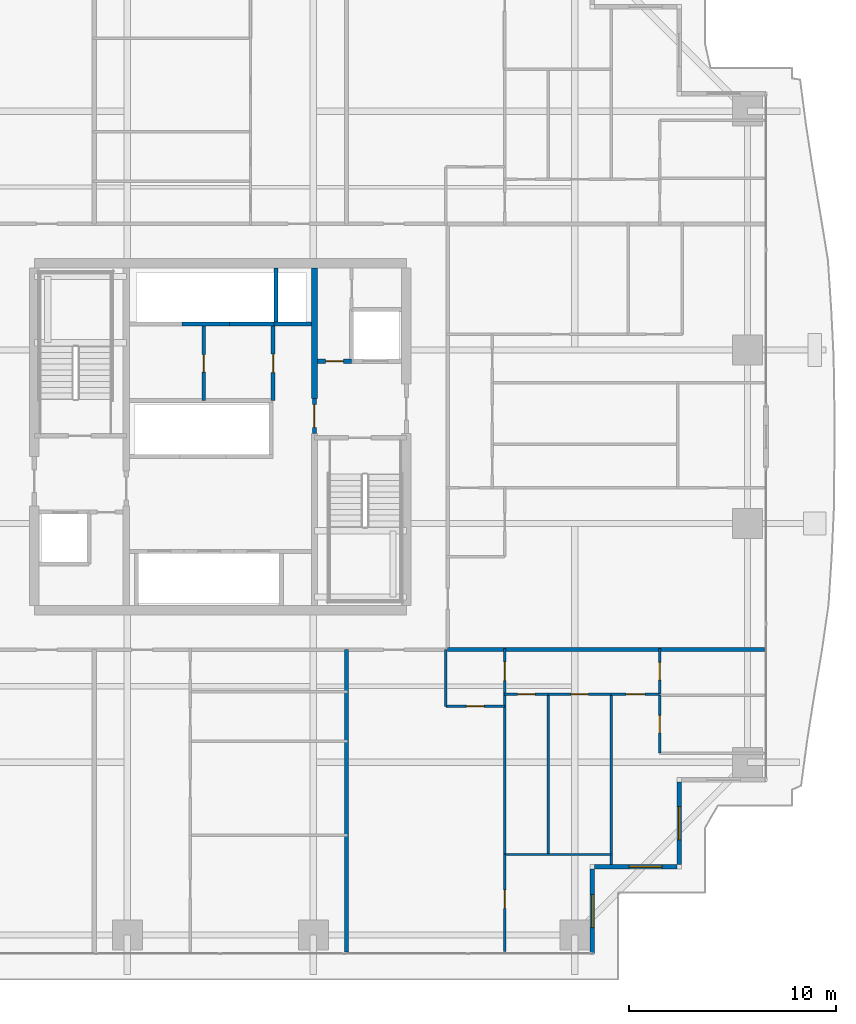
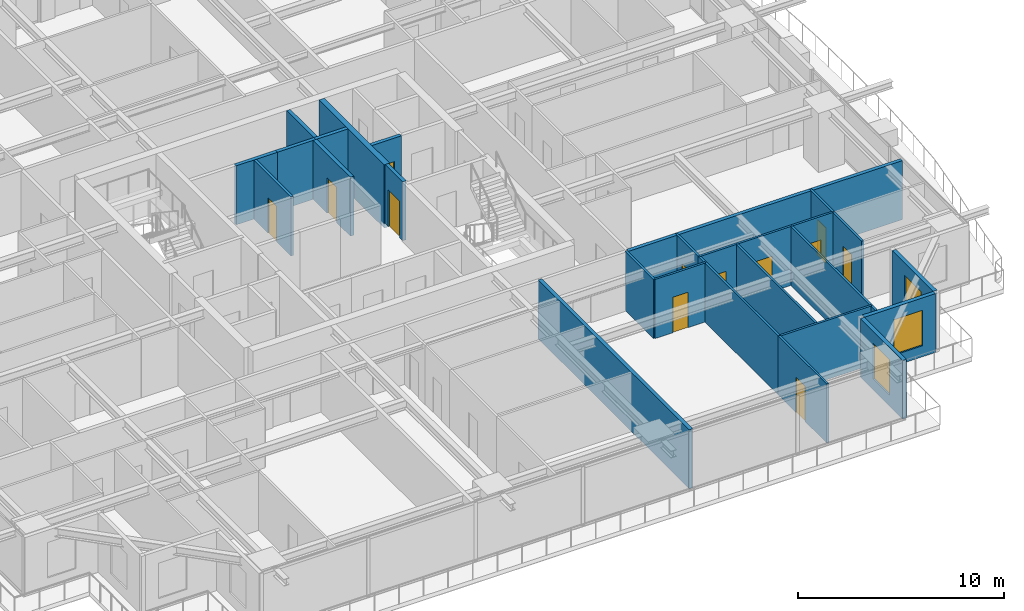
# One storey, part 28 of 37: 27 walls, 12 doors, 3 windows, 15 openings.
"""IFC4 building model written with IfcOpenShell, lengths in metres."""

from ifc_helpers import new_model, si_unit, direction, frame, frame_2d, origin, place, context, subcontext, project, spatial, rectangle, extrude, source, transform, mapped, material, layer, layer_set, type_object, element, fill, save


model = new_model("IFC4")

# Units and contexts
model_context = context("Model", 3, precision=1e-05, world=origin(), true_north=direction((0.0, 1.0)))
body_context = subcontext(model_context, "Body", "Model", "MODEL_VIEW")
ifc_project = project(units=[si_unit("LENGTHUNIT", "METRE"), si_unit("AREAUNIT", "SQUARE_METRE"), si_unit("VOLUMEUNIT", "CUBIC_METRE"), si_unit("PLANEANGLEUNIT", "RADIAN"), si_unit("MASSUNIT", "GRAM", prefix="KILO")], contexts=[model_context])

# Site, building, storey
site_placement = place(None, origin())
site = spatial("IfcSite", under=ifc_project, at=site_placement, CompositionType="ELEMENT")
building_placement = place(site_placement, origin())
building = spatial("IfcBuilding", under=site, at=building_placement, Name="Serunith Strait Residences", CompositionType="ELEMENT")
storey_placement = place(building_placement, frame((0.0, 0.0, 34.199951171875)))
storey = spatial("IfcBuildingStorey", under=building, at=storey_placement, Name="L07", CompositionType="ELEMENT", Elevation=34.199951171875)

# Wall, opening, window
ifc_material_1 = material(Name="Pale-Champagne Aluminium Insulated Panel", Category="aluminium")
ifc_layer_1 = layer(ifc_material_1, 0.219970703125, Name="Pale-Champagne Aluminium Insulated Panel")
ifc_layer_set_1 = layer_set([ifc_layer_1], Name="Pale-Champagne Aluminium Insulated Panel")
wall_type_1 = type_object("IfcWallType", Name="EW-ALUM-220", PredefinedType="ELEMENTEDWALL", material=ifc_layer_set_1)
wall_1_placement = place(storey_placement, frame((50.39990234375, 0.199951171875, 0.0), z_axis=(0.0, 0.0, 1.0), x_axis=(0.0, 1.0, 0.0)))
wall_1 = element("IfcWall", 1, at=wall_1_placement, inside=storey, type_object=wall_type_1, Name="L07 Girih Serrated Corner Wall 02", PredefinedType="ELEMENTEDWALL", context=body_context, shape_type="SweptSolid", body=[
    extrude(rectangle(XDim=4.090087890625, YDim=0.219970703125, at=frame_2d((2.044921875, 0.0))), origin(), (0.0, 0.0, 1.0), 3.47509765625),
])
opening_1_placement = place(wall_1_placement, frame((1.2451171875, 0.0, 0.64990234375)))
opening_1 = element("IfcOpeningElement", 2, at=opening_1_placement, cuts=wall_1, Name="Opening W-02", PredefinedType="OPENING", context=body_context, shape_type="SweptSolid", body=[
    extrude(rectangle(XDim=1.60009765625, YDim=2.10009765625, at=frame_2d((0.800048828125, 1.050048828125))), frame((0.0, 0.1201171875, 0.0), z_axis=(0.0, -1.0, 0.0), x_axis=(1.0, 0.0, 0.0)), (0.0, 0.0, 1.0), 0.239990234375),
])
ifc_material_2 = material(Name="Ceramic-Fritted Operable Aluminium Window Glass", Category="aluminium")
window_type = type_object("IfcWindowType", Name="WIN-C2", PartitioningType="DOUBLE_PANEL_VERTICAL", PredefinedType="WINDOW", material=ifc_material_2)
shared_shape_1 = source(origin(), body_context, "Body", "SweptSolid", [
    extrude(rectangle(XDim=1.60009765625, YDim=2.10009765625, at=frame_2d((0.800048828125, 1.050048828125))), frame((0.0, 0.030029296875, 0.0), z_axis=(0.0, -1.0, 0.0), x_axis=(1.0, 0.0, 0.0)), (0.0, 0.0, 1.0), 0.06005859375),
])
window_1_placement = place(opening_1_placement, origin())
window_1 = element("IfcWindow", 3, at=window_1_placement, inside=storey, type_object=window_type, Name="L07 Corner Operable Fritted Window 02", OverallHeight=2.10009765625, OverallWidth=1.60009765625, PartitioningType="SINGLE_PANEL", PredefinedType="WINDOW", context=body_context, shape_type="MappedRepresentation", body=[
    mapped(shared_shape_1, transform((0.0, 0.0, 0.0), scale=1.0)),
])
fill(opening_1, window_1)

wall_2_placement = place(storey_placement, frame((50.510009765625, 4.39990234375, 0.0), z_axis=(0.0, 0.0, 1.0), x_axis=(1.0, 0.0, 0.0)))
wall_2 = element("IfcWall", 4, at=wall_2_placement, inside=storey, type_object=wall_type_1, Name="L07 Girih Serrated Corner Wall 03", PredefinedType="ELEMENTEDWALL", context=body_context, shape_type="SweptSolid", body=[
    extrude(rectangle(XDim=3.97998046875, YDim=0.219970703125, at=frame_2d((1.989990234375, 0.0))), origin(), (0.0, 0.0, 1.0), 3.47509765625),
])
opening_2_placement = place(wall_2_placement, frame((1.666015625, 0.0, 0.64990234375)))
opening_2 = element("IfcOpeningElement", 5, at=opening_2_placement, cuts=wall_2, Name="Opening W-02", PredefinedType="OPENING", context=body_context, shape_type="SweptSolid", body=[
    extrude(rectangle(XDim=1.60009765625, YDim=2.10009765625, at=frame_2d((0.800048828125, 1.050048828125))), frame((0.0, 0.1201171875, 0.0), z_axis=(0.0, -1.0, 0.0), x_axis=(1.0, 0.0, 0.0)), (0.0, 0.0, 1.0), 0.239990234375),
])
window_2_placement = place(opening_2_placement, origin())
window_2 = element("IfcWindow", 6, at=window_2_placement, inside=storey, type_object=window_type, Name="L07 Corner Operable Fritted Window 03", OverallHeight=2.10009765625, OverallWidth=1.60009765625, PartitioningType="SINGLE_PANEL", PredefinedType="WINDOW", context=body_context, shape_type="MappedRepresentation", body=[
    mapped(shared_shape_1, transform((0.0, 0.0, 0.0), scale=1.0)),
])
fill(opening_2, window_2)

wall_3_placement = place(storey_placement, frame((54.60009765625, 4.510009765625, 0.0), z_axis=(0.0, 0.0, 1.0), x_axis=(0.0, 1.0, 0.0)))
wall_3 = element("IfcWall", 7, at=wall_3_placement, inside=storey, type_object=wall_type_1, Name="L07 Girih Serrated Corner Wall 04", PredefinedType="ELEMENTEDWALL", context=body_context, shape_type="SweptSolid", body=[
    extrude(rectangle(XDim=3.97998046875, YDim=0.219970703125, at=frame_2d((1.989990234375, 0.0))), origin(), (0.0, 0.0, 1.0), 3.47509765625),
])
opening_3_placement = place(wall_3_placement, frame((1.18994140625, 0.0, 0.64990234375)))
opening_3 = element("IfcOpeningElement", 8, at=opening_3_placement, cuts=wall_3, Name="Opening W-02", PredefinedType="OPENING", context=body_context, shape_type="SweptSolid", body=[
    extrude(rectangle(XDim=1.60009765625, YDim=2.10009765625, at=frame_2d((0.800048828125, 1.050048828125))), frame((0.0, 0.1201171875, 0.0), z_axis=(0.0, -1.0, 0.0), x_axis=(1.0, 0.0, 0.0)), (0.0, 0.0, 1.0), 0.239990234375),
])
window_3_placement = place(opening_3_placement, origin())
window_3 = element("IfcWindow", 9, at=window_3_placement, inside=storey, type_object=window_type, Name="L07 Corner Operable Fritted Window 04", OverallHeight=2.10009765625, OverallWidth=1.60009765625, PartitioningType="SINGLE_PANEL", PredefinedType="WINDOW", context=body_context, shape_type="MappedRepresentation", body=[
    mapped(shared_shape_1, transform((0.0, 0.0, 0.0), scale=1.0)),
])
fill(opening_3, window_3)

# Wall, opening, door
ifc_material_3 = material(Name="Fire-rated masonry service closet wall", Category="masonry")
ifc_layer_2 = layer(ifc_material_3, 0.14990234375, Name="Fire-rated masonry service closet wall")
ifc_layer_set_2 = layer_set([ifc_layer_2], Name="Fire-rated masonry service closet wall")
wall_type_2 = type_object("IfcWallType", Name="IW-BOH-150", PredefinedType="PARTITIONING", material=ifc_layer_set_2)
wall_4_placement = place(storey_placement, frame((31.60009765625, 26.949951171875, 0.0), z_axis=(0.0, 0.0, 1.0), x_axis=(0.0, 1.0, 0.0)))
wall_4 = element("IfcWall", 10, at=wall_4_placement, inside=storey, type_object=wall_type_2, Name="L07 Partition Wall 014", PredefinedType="PARTITIONING", context=body_context, shape_type="SweptSolid", body=[
    extrude(rectangle(XDim=3.60009765625, YDim=0.14990234375, at=frame_2d((1.800048828125, 0.0))), origin(), (0.0, 0.0, 1.0), 3.489990234375),
])
opening_4_placement = place(wall_4_placement, frame((1.375, 0.0, 0.0)))
opening_4 = element("IfcOpeningElement", 11, at=opening_4_placement, cuts=wall_4, Name="Opening FD-850", PredefinedType="OPENING", context=body_context, shape_type="SweptSolid", body=[
    extrude(rectangle(XDim=0.85009765625, YDim=2.10009765625, at=frame_2d((0.425048828125, 1.050048828125))), frame((0.0, 0.0849609375, 0.0), z_axis=(0.0, -1.0, 0.0), x_axis=(1.0, 0.0, 0.0)), (0.0, 0.0, 1.0), 0.169921875),
])
ifc_material_4 = material(Name="Powder-coated steel service closet door", Category="steel")
door_type_1 = type_object("IfcDoorType", Name="FD-BOH-850", OperationType="NOTDEFINED", PredefinedType="DOOR", material=ifc_material_4)
shared_shape_2 = source(origin(), body_context, "Body", "SweptSolid", [
    extrude(rectangle(XDim=0.85009765625, YDim=2.10009765625, at=frame_2d((0.425048828125, 1.050048828125))), frame((0.0, 0.02490234375, 0.0), z_axis=(0.0, -1.0, 0.0), x_axis=(1.0, 0.0, 0.0)), (0.0, 0.0, 1.0), 0.050048828125),
])
door_1_placement = place(opening_4_placement, origin())
door_1 = element("IfcDoor", 12, at=door_1_placement, inside=storey, type_object=door_type_1, Name="L07 Zone Telecoms Door", OperationType="SINGLE_SWING_LEFT", OverallHeight=2.10009765625, OverallWidth=0.85009765625, PredefinedType="DOOR", context=body_context, shape_type="MappedRepresentation", body=[
    mapped(shared_shape_2, transform((0.0, 0.0, 0.0), scale=1.0)),
])
fill(opening_4, door_1)

ifc_material_5 = material(Name="Lightweight steel-stud gypsum partition", Category="steel")
ifc_layer_3 = layer(ifc_material_5, 0.1201171875, Name="Lightweight steel-stud gypsum partition")
ifc_layer_set_3 = layer_set([ifc_layer_3], Name="Lightweight steel-stud gypsum partition")
wall_type_3 = type_object("IfcWallType", Name="IW-PART-120", PredefinedType="PARTITIONING", material=ifc_layer_set_3)
wall_5_placement = place(storey_placement, frame((43.31005859375, 12.14990234375, 0.0), z_axis=(0.0, 0.0, 1.0), x_axis=(1.0, 0.0, 0.0)))
wall_5 = element("IfcWall", 13, at=wall_5_placement, inside=storey, type_object=wall_type_3, Name="L07 Partition Wall 049", PredefinedType="PARTITIONING", context=body_context, shape_type="SweptSolid", body=[
    extrude(rectangle(XDim=2.849853515625, YDim=0.1201171875, at=frame_2d((1.4248046875, 0.0))), origin(), (0.0, 0.0, 1.0), 3.489990234375),
])
opening_5_placement = place(wall_5_placement, frame((1.0, 0.0, 0.0)))
opening_5 = element("IfcOpeningElement", 14, at=opening_5_placement, cuts=wall_5, Name="Opening D-RM850", PredefinedType="OPENING", context=body_context, shape_type="SweptSolid", body=[
    extrude(rectangle(XDim=0.85009765625, YDim=2.10009765625, at=frame_2d((0.425048828125, 1.050048828125))), frame((0.0, 0.070068359375, 0.0), z_axis=(0.0, -1.0, 0.0), x_axis=(1.0, 0.0, 0.0)), (0.0, 0.0, 1.0), 0.14013671875),
])
ifc_material_6 = material(Name="Engineered timber flush study and kitchen door", Category="wood")
door_type_2 = type_object("IfcDoorType", Name="ID-ROOM-850", OperationType="NOTDEFINED", PredefinedType="DOOR", material=ifc_material_6)
door_2_placement = place(opening_5_placement, origin())
door_2 = element("IfcDoor", 15, at=door_2_placement, inside=storey, type_object=door_type_2, Name="L07 Kitchen 0703 Door", OperationType="SINGLE_SWING_RIGHT", OverallHeight=2.10009765625, OverallWidth=0.85009765625, PredefinedType="DOOR", context=body_context, shape_type="MappedRepresentation", body=[
    mapped(shared_shape_2, transform((0.0, 0.0, 0.0), scale=1.0)),
])
fill(opening_5, door_2)

# Wall
wall_6_placement = place(storey_placement, frame((43.31005859375, 12.14990234375, 0.0), z_axis=(0.0, 0.0, 1.0), x_axis=(0.0, 1.0, 0.0)))
element("IfcWall", 16, at=wall_6_placement, inside=storey, type_object=wall_type_3, Name="L07 Partition Wall 050", PredefinedType="PARTITIONING", context=body_context, shape_type="SweptSolid", body=[
    extrude(rectangle(XDim=2.748046875, YDim=0.1201171875, at=frame_2d((1.3740234375, 0.0))), origin(), (0.0, 0.0, 1.0), 3.489990234375),
])

# Wall, opening, door
wall_7_placement = place(storey_placement, frame((46.159912109375, 12.75, 0.0), z_axis=(0.0, 0.0, 1.0), x_axis=(0.0, 1.0, 0.0)))
wall_7 = element("IfcWall", 17, at=wall_7_placement, inside=storey, type_object=wall_type_3, Name="L07 Partition Wall 051", PredefinedType="PARTITIONING", context=body_context, shape_type="SweptSolid", body=[
    extrude(rectangle(XDim=2.2099609375, YDim=0.1201171875, at=frame_2d((1.10498046875, 0.0))), origin(), (0.0, 0.0, 1.0), 3.489990234375),
])
opening_6_placement = place(wall_7_placement, frame((0.655029296875, 0.0, 0.0)))
opening_6 = element("IfcOpeningElement", 18, at=opening_6_placement, cuts=wall_7, Name="Opening D-RM900", PredefinedType="OPENING", context=body_context, shape_type="SweptSolid", body=[
    extrude(rectangle(XDim=0.89990234375, YDim=2.10009765625, at=frame_2d((0.449951171875, 1.050048828125))), frame((0.0, 0.070068359375, 0.0), z_axis=(0.0, -1.0, 0.0), x_axis=(1.0, 0.0, 0.0)), (0.0, 0.0, 1.0), 0.14013671875),
])
ifc_material_7 = material(Name="Engineered timber flush bedroom door", Category="wood")
door_type_3 = type_object("IfcDoorType", Name="ID-ROOM-900", OperationType="NOTDEFINED", PredefinedType="DOOR", material=ifc_material_7)
shared_shape_3 = source(origin(), body_context, "Body", "SweptSolid", [
    extrude(rectangle(XDim=0.89990234375, YDim=2.10009765625, at=frame_2d((0.449951171875, 1.050048828125))), frame((0.0, 0.02490234375, 0.0), z_axis=(0.0, -1.0, 0.0), x_axis=(1.0, 0.0, 0.0)), (0.0, 0.0, 1.0), 0.050048828125),
])
door_3_placement = place(opening_6_placement, origin())
door_3 = element("IfcDoor", 19, at=door_3_placement, inside=storey, type_object=door_type_3, Name="L07 Hall E 0703 Door", OperationType="SINGLE_SWING_LEFT", OverallHeight=2.10009765625, OverallWidth=0.89990234375, PredefinedType="DOOR", context=body_context, shape_type="MappedRepresentation", body=[
    mapped(shared_shape_3, transform((0.0, 0.0, 0.0), scale=1.0)),
])
fill(opening_6, door_3)

wall_8_placement = place(storey_placement, frame((46.159912109375, 0.294921875, 0.0), z_axis=(0.0, 0.0, 1.0), x_axis=(0.0, 1.0, 0.0)))
wall_8 = element("IfcWall", 20, at=wall_8_placement, inside=storey, type_object=wall_type_3, Name="L07 Partition Wall 052", PredefinedType="PARTITIONING", context=body_context, shape_type="SweptSolid", body=[
    extrude(rectangle(XDim=4.693115234375, YDim=0.1201171875, at=frame_2d((2.3466796875, 0.0))), origin(), (0.0, 0.0, 1.0), 3.489990234375),
])
opening_7_placement = place(wall_8_placement, frame((2.0859375, 0.0, 0.0)))
opening_7 = element("IfcOpeningElement", 21, at=opening_7_placement, cuts=wall_8, Name="Opening D-RM900", PredefinedType="OPENING", context=body_context, shape_type="SweptSolid", body=[
    extrude(rectangle(XDim=0.89990234375, YDim=2.10009765625, at=frame_2d((0.449951171875, 1.050048828125))), frame((0.0, 0.070068359375, 0.0), z_axis=(0.0, -1.0, 0.0), x_axis=(1.0, 0.0, 0.0)), (0.0, 0.0, 1.0), 0.14013671875),
])
door_4_placement = place(opening_7_placement, origin())
door_4 = element("IfcDoor", 22, at=door_4_placement, inside=storey, type_object=door_type_3, Name="L07 Study 1 0703 Door", OperationType="SINGLE_SWING_RIGHT", OverallHeight=2.10009765625, OverallWidth=0.89990234375, PredefinedType="DOOR", context=body_context, shape_type="MappedRepresentation", body=[
    mapped(shared_shape_3, transform((0.0, 0.0, 0.0), scale=1.0)),
])
fill(opening_7, door_4)

# Walls
wall_9_placement = place(storey_placement, frame((46.159912109375, 4.989990234375, 0.0), z_axis=(0.0, 0.0, 1.0), x_axis=(0.0, 1.0, 0.0)))
element("IfcWall", 23, at=wall_9_placement, inside=storey, type_object=wall_type_3, Name="L07 Partition Wall 053", PredefinedType="PARTITIONING", context=body_context, shape_type="SweptSolid", body=[
    extrude(rectangle(XDim=7.758056640625, YDim=0.1201171875, at=frame_2d((3.87890625, 0.0))), origin(), (0.0, 0.0, 1.0), 3.489990234375),
])
wall_10_placement = place(storey_placement, frame((46.159912109375, 4.988037109375, 0.0), z_axis=(0.0, 0.0, 1.0), x_axis=(1.0, 0.0, 0.0)))
element("IfcWall", 24, at=wall_10_placement, inside=storey, type_object=wall_type_3, Name="L07 Partition Wall 054", PredefinedType="PARTITIONING", context=body_context, shape_type="SweptSolid", body=[
    extrude(rectangle(XDim=5.150146484375, YDim=0.1201171875, at=frame_2d((2.5751953125, 0.0))), origin(), (0.0, 0.0, 1.0), 3.489990234375),
])
wall_11_placement = place(storey_placement, frame((51.31005859375, 4.4951171875, 0.0), z_axis=(0.0, 0.0, 1.0), x_axis=(0.0, 1.0, 0.0)))
element("IfcWall", 25, at=wall_11_placement, inside=storey, type_object=wall_type_3, Name="L07 Partition Wall 055", PredefinedType="PARTITIONING", context=body_context, shape_type="SweptSolid", body=[
    extrude(rectangle(XDim=8.2548828125, YDim=0.1201171875, at=frame_2d((4.12744140625, 0.0))), origin(), (0.0, 0.0, 1.0), 3.489990234375),
])
wall_12_placement = place(storey_placement, frame((48.260009765625, 4.988037109375, 0.0), z_axis=(0.0, 0.0, 1.0), x_axis=(0.0, 1.0, 0.0)))
element("IfcWall", 26, at=wall_12_placement, inside=storey, type_object=wall_type_3, Name="L07 Partition Wall 056", PredefinedType="PARTITIONING", context=body_context, shape_type="SweptSolid", body=[
    extrude(rectangle(XDim=7.761962890625, YDim=0.1201171875, at=frame_2d((3.880859375, 0.0))), origin(), (0.0, 0.0, 1.0), 3.489990234375),
])

# Wall, opening, door
wall_13_placement = place(storey_placement, frame((46.159912109375, 12.75, 0.0), z_axis=(0.0, 0.0, 1.0), x_axis=(1.0, 0.0, 0.0)))
wall_13 = element("IfcWall", 27, at=wall_13_placement, inside=storey, type_object=wall_type_3, Name="L07 Partition Wall 057", PredefinedType="PARTITIONING", context=body_context, shape_type="SweptSolid", body=[
    extrude(rectangle(XDim=2.10009765625, YDim=0.1201171875, at=frame_2d((1.050048828125, 0.0))), origin(), (0.0, 0.0, 1.0), 3.489990234375),
])
opening_8_placement = place(wall_13_placement, frame((0.625, 0.0, 0.0)))
opening_8 = element("IfcOpeningElement", 28, at=opening_8_placement, cuts=wall_13, Name="Opening D-BTH850", PredefinedType="OPENING", context=body_context, shape_type="SweptSolid", body=[
    extrude(rectangle(XDim=0.85009765625, YDim=2.10009765625, at=frame_2d((0.425048828125, 1.050048828125))), frame((0.0, 0.070068359375, 0.0), z_axis=(0.0, -1.0, 0.0), x_axis=(1.0, 0.0, 0.0)), (0.0, 0.0, 1.0), 0.14013671875),
])
ifc_material_8 = material(Name="Moisture-resistant timber bathroom door", Category="wood")
door_type_4 = type_object("IfcDoorType", Name="ID-BATH-850", OperationType="NOTDEFINED", PredefinedType="DOOR", material=ifc_material_8)
door_5_placement = place(opening_8_placement, origin())
door_5 = element("IfcDoor", 29, at=door_5_placement, inside=storey, type_object=door_type_4, Name="L07 Bathroom 0703 Door", OperationType="SINGLE_SWING_LEFT", OverallHeight=2.10009765625, OverallWidth=0.85009765625, PredefinedType="DOOR", context=body_context, shape_type="MappedRepresentation", body=[
    mapped(shared_shape_2, transform((0.0, 0.0, 0.0), scale=1.0)),
])
fill(opening_8, door_5)

wall_14_placement = place(storey_placement, frame((48.261962890625, 12.75, 0.0), z_axis=(0.0, 0.0, 1.0), x_axis=(1.0, 0.0, 0.0)))
wall_14 = element("IfcWall", 30, at=wall_14_placement, inside=storey, type_object=wall_type_3, Name="L07 Partition Wall 058", PredefinedType="PARTITIONING", context=body_context, shape_type="SweptSolid", body=[
    extrude(rectangle(XDim=3.048095703125, YDim=0.1201171875, at=frame_2d((1.52392578125, 0.0))), origin(), (0.0, 0.0, 1.0), 3.489990234375),
])
opening_9_placement = place(wall_14_placement, frame((1.09912109375, 0.0, 0.0)))
opening_9 = element("IfcOpeningElement", 31, at=opening_9_placement, cuts=wall_14, Name="Opening D-RM850", PredefinedType="OPENING", context=body_context, shape_type="SweptSolid", body=[
    extrude(rectangle(XDim=0.85009765625, YDim=2.10009765625, at=frame_2d((0.425048828125, 1.050048828125))), frame((0.0, 0.070068359375, 0.0), z_axis=(0.0, -1.0, 0.0), x_axis=(1.0, 0.0, 0.0)), (0.0, 0.0, 1.0), 0.14013671875),
])
door_6_placement = place(opening_9_placement, origin())
door_6 = element("IfcDoor", 32, at=door_6_placement, inside=storey, type_object=door_type_2, Name="L07 Study 0703 Door", OperationType="SINGLE_SWING_RIGHT", OverallHeight=2.10009765625, OverallWidth=0.85009765625, PredefinedType="DOOR", context=body_context, shape_type="MappedRepresentation", body=[
    mapped(shared_shape_2, transform((0.0, 0.0, 0.0), scale=1.0)),
])
fill(opening_9, door_6)

wall_15_placement = place(storey_placement, frame((51.31201171875, 12.75, 0.0), z_axis=(0.0, 0.0, 1.0), x_axis=(1.0, 0.0, 0.0)))
wall_15 = element("IfcWall", 33, at=wall_15_placement, inside=storey, type_object=wall_type_3, Name="L07 Partition Wall 059", PredefinedType="PARTITIONING", context=body_context, shape_type="SweptSolid", body=[
    extrude(rectangle(XDim=2.347900390625, YDim=0.1201171875, at=frame_2d((1.173828125, 0.0))), origin(), (0.0, 0.0, 1.0), 3.489990234375),
])
opening_10_placement = place(wall_15_placement, frame((0.72412109375, 0.0, 0.0)))
opening_10 = element("IfcOpeningElement", 34, at=opening_10_placement, cuts=wall_15, Name="Opening D-RM900", PredefinedType="OPENING", context=body_context, shape_type="SweptSolid", body=[
    extrude(rectangle(XDim=0.89990234375, YDim=2.10009765625, at=frame_2d((0.449951171875, 1.050048828125))), frame((0.0, 0.070068359375, 0.0), z_axis=(0.0, -1.0, 0.0), x_axis=(1.0, 0.0, 0.0)), (0.0, 0.0, 1.0), 0.14013671875),
])
door_7_placement = place(opening_10_placement, origin())
door_7 = element("IfcDoor", 35, at=door_7_placement, inside=storey, type_object=door_type_3, Name="L07 Master Bedroom E 0703 Door", OperationType="SINGLE_SWING_LEFT", OverallHeight=2.10009765625, OverallWidth=0.89990234375, PredefinedType="DOOR", context=body_context, shape_type="MappedRepresentation", body=[
    mapped(shared_shape_3, transform((0.0, 0.0, 0.0), scale=1.0)),
])
fill(opening_10, door_7)

wall_16_placement = place(storey_placement, frame((53.659912109375, 9.89404296875, 0.0), z_axis=(0.0, 0.0, 1.0), x_axis=(0.0, 1.0, 0.0)))
wall_16 = element("IfcWall", 36, at=wall_16_placement, inside=storey, type_object=wall_type_3, Name="L07 Partition Wall 062", PredefinedType="PARTITIONING", context=body_context, shape_type="SweptSolid", body=[
    extrude(rectangle(XDim=2.807861328125, YDim=0.1201171875, at=frame_2d((1.40380859375, 0.0))), origin(), (0.0, 0.0, 1.0), 3.489990234375),
])
opening_11_placement = place(wall_16_placement, frame((0.97900390625, 0.0, 0.0)))
opening_11 = element("IfcOpeningElement", 37, at=opening_11_placement, cuts=wall_16, Name="Opening D-BTH850", PredefinedType="OPENING", context=body_context, shape_type="SweptSolid", body=[
    extrude(rectangle(XDim=0.85009765625, YDim=2.10009765625, at=frame_2d((0.425048828125, 1.050048828125))), frame((0.0, 0.070068359375, 0.0), z_axis=(0.0, -1.0, 0.0), x_axis=(1.0, 0.0, 0.0)), (0.0, 0.0, 1.0), 0.14013671875),
])
door_8_placement = place(opening_11_placement, origin())
door_8 = element("IfcDoor", 38, at=door_8_placement, inside=storey, type_object=door_type_4, Name="L07 En-suite Bathroom E 0703 Door", OperationType="SINGLE_SWING_RIGHT", OverallHeight=2.10009765625, OverallWidth=0.85009765625, PredefinedType="DOOR", context=body_context, shape_type="MappedRepresentation", body=[
    mapped(shared_shape_2, transform((0.0, 0.0, 0.0), scale=1.0)),
])
fill(opening_11, door_8)

wall_17_placement = place(storey_placement, frame((53.659912109375, 12.75, 0.0), z_axis=(0.0, 0.0, 1.0), x_axis=(0.0, 1.0, 0.0)))
wall_17 = element("IfcWall", 39, at=wall_17_placement, inside=storey, type_object=wall_type_3, Name="L07 Partition Wall 063", PredefinedType="PARTITIONING", context=body_context, shape_type="SweptSolid", body=[
    extrude(rectangle(XDim=2.2099609375, YDim=0.1201171875, at=frame_2d((1.10498046875, 0.0))), origin(), (0.0, 0.0, 1.0), 3.489990234375),
])
opening_12_placement = place(wall_17_placement, frame((0.679931640625, 0.0, 0.0)))
opening_12 = element("IfcOpeningElement", 40, at=opening_12_placement, cuts=wall_17, Name="Opening D-RM850", PredefinedType="OPENING", context=body_context, shape_type="SweptSolid", body=[
    extrude(rectangle(XDim=0.85009765625, YDim=2.10009765625, at=frame_2d((0.425048828125, 1.050048828125))), frame((0.0, 0.070068359375, 0.0), z_axis=(0.0, -1.0, 0.0), x_axis=(1.0, 0.0, 0.0)), (0.0, 0.0, 1.0), 0.14013671875),
])
door_9_placement = place(opening_12_placement, origin())
door_9 = element("IfcDoor", 41, at=door_9_placement, inside=storey, type_object=door_type_2, Name="L07 Wardrobe E 0703 Door", OperationType="SINGLE_SWING_LEFT", OverallHeight=2.10009765625, OverallWidth=0.85009765625, PredefinedType="DOOR", context=body_context, shape_type="MappedRepresentation", body=[
    mapped(shared_shape_2, transform((0.0, 0.0, 0.0), scale=1.0)),
])
fill(opening_12, door_9)

# Walls
ifc_material_9 = material(Name="Twin-stud acoustic gypsum board partition")
ifc_layer_4 = layer(ifc_material_9, 0.199951171875, Name="Twin-stud acoustic gypsum board partition")
ifc_layer_set_4 = layer_set([ifc_layer_4], Name="Twin-stud acoustic gypsum board partition")
wall_type_4 = type_object("IfcWallType", Name="IW-PARTY-200", PredefinedType="PARTITIONING", material=ifc_layer_set_4)
wall_18_placement = place(storey_placement, frame((38.5, 0.281982421875, 0.0), z_axis=(0.0, 0.0, 1.0), x_axis=(0.0, 1.0, 0.0)))
element("IfcWall", 42, at=wall_18_placement, inside=storey, type_object=wall_type_4, Name="L07 Partition Wall 016", PredefinedType="PARTITIONING", context=body_context, shape_type="SweptSolid", body=[
    extrude(rectangle(XDim=14.617919921875, YDim=0.199951171875, at=frame_2d((7.30908203125, 0.0))), origin(), (0.0, 0.0, 1.0), 3.489990234375),
])
wall_19_placement = place(storey_placement, frame((43.39990234375, 14.89990234375, 0.0), z_axis=(0.0, 0.0, 1.0), x_axis=(1.0, 0.0, 0.0)))
element("IfcWall", 43, at=wall_19_placement, inside=storey, type_object=wall_type_4, Name="L07 Partition Wall 020", PredefinedType="PARTITIONING", context=body_context, shape_type="SweptSolid", body=[
    extrude(rectangle(XDim=15.318115234375, YDim=0.199951171875, at=frame_2d((7.6591796875, 0.0))), origin(), (0.0, 0.0, 1.0), 3.489990234375),
])
ifc_material_10 = material(Name="Autoclaved aerated concrete blockwork", Category="masonry")
ifc_layer_5 = layer(ifc_material_10, 0.199951171875, Name="Autoclaved aerated concrete blockwork")
ifc_layer_set_5 = layer_set([ifc_layer_5], Name="Autoclaved aerated concrete blockwork")
wall_type_5 = type_object("IfcWallType", Name="IW-SHAFT-200", PredefinedType="STANDARD", material=ifc_layer_set_5)
wall_20_placement = place(storey_placement, frame((30.550048828125, 30.64990234375, 0.0), z_axis=(0.0, 0.0, 1.0), x_axis=(1.0, 0.0, 0.0)))
element("IfcWall", 44, at=wall_20_placement, inside=storey, type_object=wall_type_5, Name="L07 PL-8 South Shaft Wall", PredefinedType="STANDARD", context=body_context, shape_type="SweptSolid", body=[
    extrude(rectangle(XDim=2.300048828125, YDim=0.199951171875, at=frame_2d((1.14990234375, 0.0))), origin(), (0.0, 0.0, 1.0), 3.489990234375),
])
wall_21_placement = place(storey_placement, frame((32.85009765625, 30.64990234375, 0.0), z_axis=(0.0, 0.0, 1.0), x_axis=(1.0, 0.0, 0.0)))
element("IfcWall", 45, at=wall_21_placement, inside=storey, type_object=wall_type_5, Name="L07 PL-9 South Shaft Wall", PredefinedType="STANDARD", context=body_context, shape_type="SweptSolid", body=[
    extrude(rectangle(XDim=2.14990234375, YDim=0.199951171875, at=frame_2d((1.074951171875, 0.0))), origin(), (0.0, 0.0, 1.0), 3.489990234375),
])
wall_22_placement = place(storey_placement, frame((35.0, 30.64990234375, 0.0), z_axis=(0.0, 0.0, 1.0), x_axis=(1.0, 0.0, 0.0)))
element("IfcWall", 46, at=wall_22_placement, inside=storey, type_object=wall_type_5, Name="L07 SL-1 South Shaft Wall", PredefinedType="STANDARD", context=body_context, shape_type="SweptSolid", body=[
    extrude(rectangle(XDim=1.800048828125, YDim=0.199951171875, at=frame_2d((0.89990234375, 0.0))), origin(), (0.0, 0.0, 1.0), 3.489990234375),
])
wall_23_placement = place(storey_placement, frame((35.10009765625, 30.75, 0.0), z_axis=(0.0, 0.0, 1.0), x_axis=(0.0, 1.0, 0.0)))
element("IfcWall", 47, at=wall_23_placement, inside=storey, type_object=wall_type_5, Name="L07 SL-1 West Shaft Wall", PredefinedType="STANDARD", context=body_context, shape_type="SweptSolid", body=[
    extrude(rectangle(XDim=2.625, YDim=0.199951171875, at=frame_2d((1.3125, 0.0))), origin(), (0.0, 0.0, 1.0), 3.489990234375),
])

# Wall, opening, door
wall_24_placement = place(storey_placement, frame((37.10009765625, 28.85009765625, 0.0), z_axis=(0.0, 0.0, 1.0), x_axis=(1.0, 0.0, 0.0)))
wall_24 = element("IfcWall", 48, at=wall_24_placement, inside=storey, type_object=wall_type_5, Name="L07 Partition Wall 006", PredefinedType="STANDARD", context=body_context, shape_type="SweptSolid", body=[
    extrude(rectangle(XDim=1.64794921875, YDim=0.199951171875, at=frame_2d((0.823974609375, 0.0))), origin(), (0.0, 0.0, 1.0), 3.489990234375),
])
opening_13_placement = place(wall_24_placement, frame((0.39892578125, 0.0, 0.0)))
opening_13 = element("IfcOpeningElement", 49, at=opening_13_placement, cuts=wall_24, Name="Opening FD-850", PredefinedType="OPENING", context=body_context, shape_type="SweptSolid", body=[
    extrude(rectangle(XDim=0.85009765625, YDim=2.10009765625, at=frame_2d((0.425048828125, 1.050048828125))), frame((0.0, 0.10986328125, 0.0), z_axis=(0.0, -1.0, 0.0), x_axis=(1.0, 0.0, 0.0)), (0.0, 0.0, 1.0), 0.219970703125),
])
door_10_placement = place(opening_13_placement, origin())
door_10 = element("IfcDoor", 50, at=door_10_placement, inside=storey, type_object=door_type_1, Name="L07 North-East Core Service Door", OperationType="SINGLE_SWING_RIGHT", OverallHeight=2.10009765625, OverallWidth=0.85009765625, PredefinedType="DOOR", context=body_context, shape_type="MappedRepresentation", body=[
    mapped(shared_shape_2, transform((0.0, 0.0, 0.0), scale=1.0)),
])
fill(opening_13, door_10)

wall_25_placement = place(storey_placement, frame((36.949951171875, 25.35205078125, 0.0), z_axis=(0.0, 0.0, 1.0), x_axis=(0.0, 1.0, 0.0)))
wall_25 = element("IfcWall", 51, at=wall_25_placement, inside=storey, type_object=wall_type_5, Name="L07 Partition Wall 010", PredefinedType="STANDARD", context=body_context, shape_type="SweptSolid", body=[
    extrude(rectangle(XDim=1.696044921875, YDim=0.199951171875, at=frame_2d((0.84814453125, 0.0))), origin(), (0.0, 0.0, 1.0), 3.489990234375),
])
opening_14_placement = place(wall_25_placement, frame((0.298095703125, 0.0, 0.0)))
opening_14 = element("IfcOpeningElement", 52, at=opening_14_placement, cuts=wall_25, Name="Opening FD-FFL", PredefinedType="OPENING", context=body_context, shape_type="SweptSolid", body=[
    extrude(rectangle(XDim=1.10009765625, YDim=2.14990234375, at=frame_2d((0.550048828125, 1.074951171875))), frame((0.0, 0.10986328125, 0.0), z_axis=(0.0, -1.0, 0.0), x_axis=(1.0, 0.0, 0.0)), (0.0, 0.0, 1.0), 0.219970703125),
])
ifc_material_11 = material(Name="Glazed steel smoke-lobby fire door", Category="steel")
door_type_5 = type_object("IfcDoorType", Name="FD-FFL-1100", OperationType="NOTDEFINED", PredefinedType="DOOR", material=ifc_material_11)
shared_shape_4 = source(origin(), body_context, "Body", "SweptSolid", [
    extrude(rectangle(XDim=1.10009765625, YDim=2.14990234375, at=frame_2d((0.550048828125, 1.074951171875))), frame((0.0, 0.02490234375, 0.0), z_axis=(0.0, -1.0, 0.0), x_axis=(1.0, 0.0, 0.0)), (0.0, 0.0, 1.0), 0.050048828125),
])
door_11_placement = place(opening_14_placement, origin())
door_11 = element("IfcDoor", 53, at=door_11_placement, inside=storey, type_object=door_type_5, Name="L07 FFL-2 Lift Lobby Door", OperationType="SINGLE_SWING_RIGHT", OverallHeight=2.14990234375, OverallWidth=1.10009765625, PredefinedType="DOOR", context=body_context, shape_type="MappedRepresentation", body=[
    mapped(shared_shape_4, transform((0.0, 0.0, 0.0), scale=1.0)),
])
fill(opening_14, door_11)

wall_26_placement = place(storey_placement, frame((34.949951171875, 26.949951171875, 0.0), z_axis=(0.0, 0.0, 1.0), x_axis=(0.0, 1.0, 0.0)))
wall_26 = element("IfcWall", 54, at=wall_26_placement, inside=storey, type_object=wall_type_5, Name="L07 Partition Wall 013", PredefinedType="STANDARD", context=body_context, shape_type="SweptSolid", body=[
    extrude(rectangle(XDim=3.60009765625, YDim=0.199951171875, at=frame_2d((1.800048828125, 0.0))), origin(), (0.0, 0.0, 1.0), 3.489990234375),
])
opening_15_placement = place(wall_26_placement, frame((1.35009765625, 0.0, 0.0)))
opening_15 = element("IfcOpeningElement", 55, at=opening_15_placement, cuts=wall_26, Name="Opening FD-900", PredefinedType="OPENING", context=body_context, shape_type="SweptSolid", body=[
    extrude(rectangle(XDim=0.89990234375, YDim=2.10009765625, at=frame_2d((0.449951171875, 1.050048828125))), frame((0.0, 0.10986328125, 0.0), z_axis=(0.0, -1.0, 0.0), x_axis=(1.0, 0.0, 0.0)), (0.0, 0.0, 1.0), 0.219970703125),
])
ifc_material_12 = material(Name="Powder-coated steel riser door", Category="steel")
door_type_6 = type_object("IfcDoorType", Name="FD-BOH-900", OperationType="NOTDEFINED", PredefinedType="DOOR", material=ifc_material_12)
door_12_placement = place(opening_15_placement, origin())
door_12 = element("IfcDoor", 56, at=door_12_placement, inside=storey, type_object=door_type_6, Name="L07 Central Comms Door", OperationType="SINGLE_SWING_RIGHT", OverallHeight=2.10009765625, OverallWidth=0.89990234375, PredefinedType="DOOR", context=body_context, shape_type="MappedRepresentation", body=[
    mapped(shared_shape_3, transform((0.0, 0.0, 0.0), scale=1.0)),
])
fill(opening_15, door_12)

# Wall
ifc_material_13 = material(Name="Concrete C80/95", Category="concrete")
ifc_layer_6 = layer(ifc_material_13, 0.300048828125, Name="Concrete C80/95")
ifc_layer_set_6 = layer_set([ifc_layer_6], Name="Concrete C80/95")
wall_type_6 = type_object("IfcWallType", Name="SW-300-C80", PredefinedType="SHEAR", material=ifc_layer_set_6)
wall_27_placement = place(storey_placement, frame((36.949951171875, 27.050048828125, -0.260009765625), z_axis=(0.0, 0.0, 1.0), x_axis=(0.0, 1.0, 0.0)))
element("IfcWall", 57, at=wall_27_placement, inside=storey, type_object=wall_type_6, Name="L07 Core Internal East Web North Pier", PredefinedType="SHEAR", context=body_context, shape_type="SweptSolid", body=[
    extrude(rectangle(XDim=6.324951171875, YDim=0.300048828125, at=frame_2d((3.16259765625, 0.0))), origin(), (0.0, 0.0, 1.0), 3.748046875),
])

save(model, "model.ifc")
